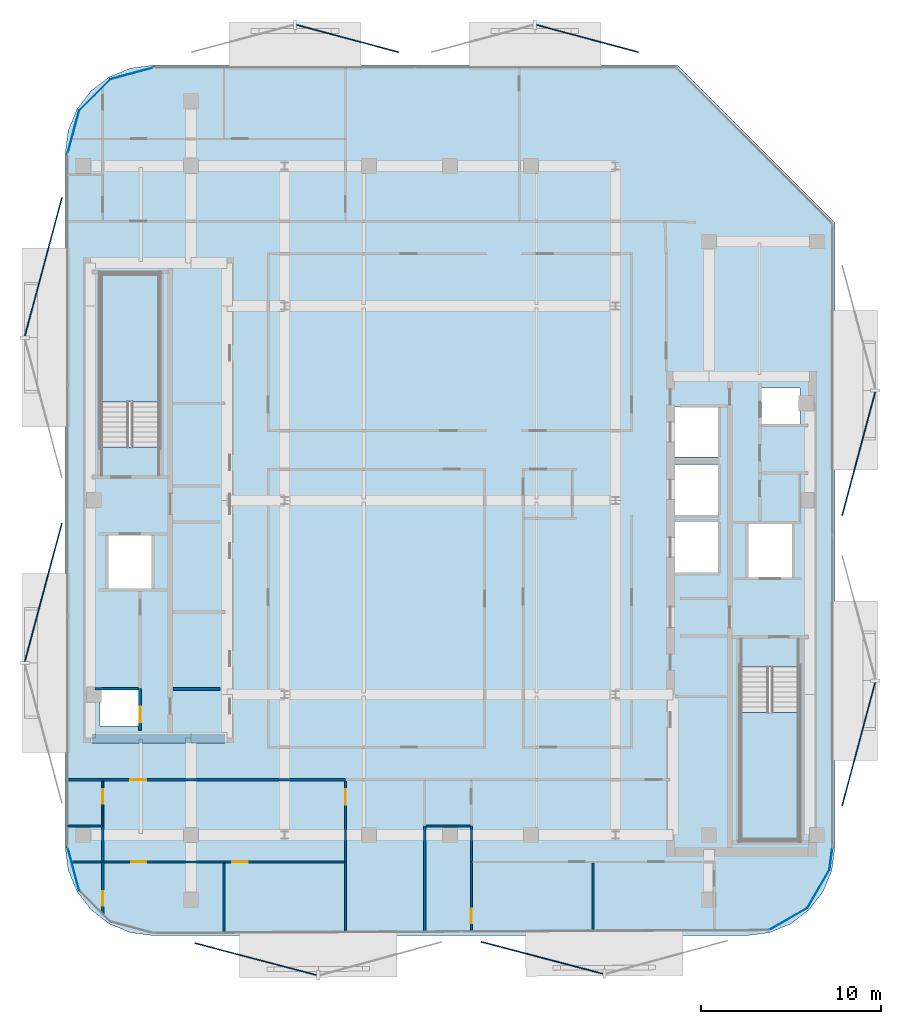
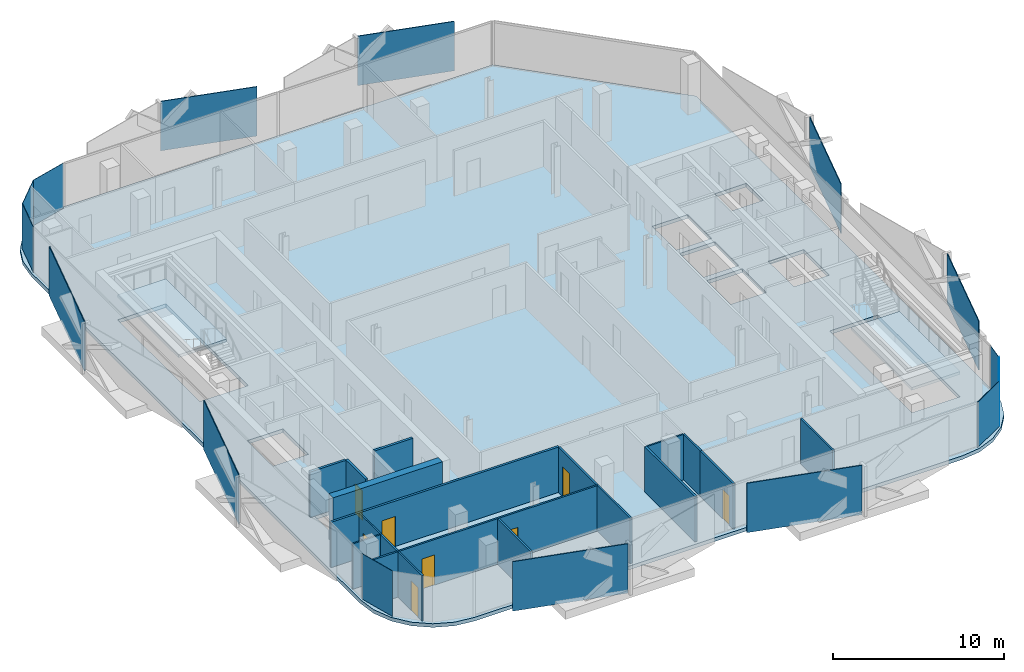
# One storey, part 2 of 15: 19 walls, 15 plates, 8 doors, 3 slabs, 8 openings, 2 elements without a shape of their own.
"""IFC4 building model written with IfcOpenShell, lengths in metres."""

from ifc_helpers import new_model, si_unit, direction, frame, frame_2d, origin, origin_2d, place, context, subcontext, project, spatial, polyline, rectangle, outline, extrude, material, layer, layer_set, type_object, element, fill, aggregate, save


model = new_model("IFC4")

# Units and contexts
model_context = context("Model", 3, precision=1e-05, world=origin(), true_north=direction((0.0, 1.0)))
body_context = subcontext(model_context, "Body", "Model", "MODEL_VIEW")
ifc_project = project(units=[si_unit("LENGTHUNIT", "METRE"), si_unit("AREAUNIT", "SQUARE_METRE"), si_unit("VOLUMEUNIT", "CUBIC_METRE"), si_unit("PLANEANGLEUNIT", "RADIAN"), si_unit("MASSUNIT", "GRAM", prefix="KILO")], contexts=[model_context])

# Site, building, storey
site_placement = place(None, origin())
site = spatial("IfcSite", under=ifc_project, at=site_placement, CompositionType="ELEMENT")
building_placement = place(site_placement, origin())
building = spatial("IfcBuilding", under=site, at=building_placement, Name="Khairoan Windgate Tower", CompositionType="ELEMENT")
storey_placement = place(building_placement, frame((0.0, 0.0, 269.199951171875)))
storey = spatial("IfcBuildingStorey", under=building, at=storey_placement, Name="L64", CompositionType="ELEMENT", Elevation=269.199951171875)

# Plates
ifc_material_1 = material(Name="Low-E Solar Control Laminated Glass", Category="glass")
ifc_layer_1 = layer(ifc_material_1, 0.030029296875, Name="Low-E Solar Control Laminated Glass")
ifc_layer_set_1 = layer_set([ifc_layer_1], Name="Low-E Solar Control Laminated Glass")
plate_type_1 = type_object("IfcPlateType", Name="Aerodynamic Wind-Corner Curved Glazing Plate", PredefinedType="USERDEFINED", material=ifc_layer_set_1)
for number, where, z_axis, x_axis, name in (
    (1, (-20.940673828125, -20.485107421875, 0.0), (0.0, 0.0, 1.0), (-0.258313252067, 0.966061211211, 0.0), "L64 Aerodynamic Wind-Corner Curved Glazing Panel 4"),
    (2, (-20.940673828125, 20.485107421875, 0.0), (0.0, 0.0, 1.0), (0.258313252067, 0.966061211211, 0.0), "L64 Aerodynamic Wind-Corner Curved Glazing Panel 6"),
):
    element("IfcPlate", number, at=place(storey_placement, frame(where, z_axis=z_axis, x_axis=x_axis)), inside=storey, type_object=plate_type_1, Name=name, ObjectType="GLAZING PANEL", PredefinedType="USERDEFINED", context=body_context, shape_type="SweptSolid", body=[
        extrude(rectangle(XDim=2.512451171875, YDim=0.030029296875, at=origin_2d()), origin(), (0.0, 0.0, 1.0), 3.25),
    ])
plate_1_placement = place(storey_placement, frame((-19.750244140625, 22.55029296875, 0.0), z_axis=(0.0, 0.0, 1.0), x_axis=(0.707106781187, 0.707106781187, 0.0)))
element("IfcPlate", 3, at=plate_1_placement, inside=storey, type_object=plate_type_1, Name="L64 Aerodynamic Wind-Corner Curved Glazing Panel 7", ObjectType="GLAZING PANEL", PredefinedType="USERDEFINED", context=body_context, shape_type="SweptSolid", body=[
    extrude(rectangle(XDim=2.50341796875, YDim=0.030029296875, at=origin_2d()), origin(), (0.0, 0.0, 1.0), 3.25),
])
plate_2_placement = place(storey_placement, frame((-17.68505859375, 23.740478515625, 0.0), z_axis=(0.0, 0.0, 1.0), x_axis=(0.966061211211, 0.258313252067, 0.0)))
element("IfcPlate", 4, at=plate_2_placement, inside=storey, type_object=plate_type_1, Name="L64 Aerodynamic Wind-Corner Curved Glazing Panel 8", ObjectType="GLAZING PANEL", PredefinedType="USERDEFINED", context=body_context, shape_type="SweptSolid", body=[
    extrude(rectangle(XDim=2.512451171875, YDim=0.030029296875, at=origin_2d()), origin(), (0.0, 0.0, 1.0), 3.25),
])
plate_3_placement = place(storey_placement, frame((21.17822265625, -19.911376953125, 0.0), z_axis=(0.0, 0.0, 1.0), x_axis=(-0.13052619222, -0.991444861374, 0.0)))
element("IfcPlate", 5, at=plate_3_placement, inside=storey, type_object=plate_type_1, Name="L64 Aerodynamic Wind-Corner Curved Glazing Panel 12", ObjectType="GLAZING PANEL", PredefinedType="USERDEFINED", context=body_context, shape_type="SweptSolid", body=[
    extrude(rectangle(XDim=1.29150390625, YDim=0.030029296875, at=origin_2d()), origin(), (0.0, 0.0, 1.0), 3.25),
])
for number, where, z_axis, x_axis, name in (
    (6, (20.480712890625, -21.598388671875, 0.0), (0.0, 0.0, 1.0), (-0.5, -0.866025403784, 0.0), "L64 Aerodynamic Wind-Corner Curved Glazing Panel 13"),
    (7, (18.79833984375, -23.28076171875, 0.0), (0.0, 0.0, 1.0), (-0.866025403784, -0.5, 0.0), "L64 Aerodynamic Wind-Corner Curved Glazing Panel 14"),
):
    element("IfcPlate", number, at=place(storey_placement, frame(where, z_axis=z_axis, x_axis=x_axis)), inside=storey, type_object=plate_type_1, Name=name, ObjectType="GLAZING PANEL", PredefinedType="USERDEFINED", context=body_context, shape_type="SweptSolid", body=[
        extrude(rectangle(XDim=2.50341796875, YDim=0.030029296875, at=origin_2d()), origin(), (0.0, 0.0, 1.0), 3.25),
    ])
ifc_material_2 = material(Name="Anodised Bronze Aluminium 6063-T6", Category="aluminium")
ifc_layer_2 = layer(ifc_material_2, 0.054931640625, Name="Anodised Bronze Aluminium 6063-T6")
ifc_layer_set_2 = layer_set([ifc_layer_2], Name="Anodised Bronze Aluminium 6063-T6")
plate_type_2 = type_object("IfcPlateType", Name="Perforated Bronze Solar Screen Upper Panel BSP-2", PredefinedType="USERDEFINED", material=ifc_layer_set_2)
for number, where, z_axis, x_axis, name in (
    (8, (5.11181640625, -25.430908203125, -0.099853515625), (0.0, 0.0, 1.0), (-0.967134752842, 0.254264369988, 0.0), "L64 Perforated Bronze Solar Screen Panel 441R"),
    (9, (-10.79931640625, -25.5068359375, -0.099853515625), (0.0, 0.0, 1.0), (-0.967134752842, 0.254264369988, 0.0), "L64 Perforated Bronze Solar Screen Panel 442R"),
):
    element("IfcPlate", number, at=place(storey_placement, frame(where, z_axis=z_axis, x_axis=x_axis)), inside=storey, type_object=plate_type_2, Name=name, ObjectType="SCREEN", PredefinedType="USERDEFINED", context=body_context, shape_type="SweptSolid", body=[
        extrude(rectangle(XDim=7.0009765625, YDim=0.054931640625, at=origin_2d()), origin(), (0.0, 0.0, 1.0), 3.5400390625),
    ])
for number, where, z_axis, x_axis, name in (
    (10, (-22.60986328125, -5.111083984375, -0.099853515625), (0.0, 0.0, 1.0), (0.258819045103, 0.965925826289, 0.0), "L64 Perforated Bronze Solar Screen Panel 443R"),
    (11, (-22.60986328125, 12.979736328125, -0.099853515625), (0.0, 0.0, 1.0), (0.258819045103, 0.965925826289, 0.0), "L64 Perforated Bronze Solar Screen Panel 444R"),
):
    element("IfcPlate", number, at=place(storey_placement, frame(where, z_axis=z_axis, x_axis=x_axis)), inside=storey, type_object=plate_type_2, Name=name, ObjectType="SCREEN", PredefinedType="USERDEFINED", context=body_context, shape_type="SweptSolid", body=[
        extrude(rectangle(XDim=7.9599609375, YDim=0.054931640625, at=origin_2d()), origin(), (0.0, 0.0, 1.0), 3.5400390625),
    ])
for number, where, z_axis, x_axis, name in (
    (12, (-5.698486328125, 25.6806640625, -0.099853515625), (0.0, 0.0, 1.0), (0.965925826289, -0.258819045103, 0.0), "L64 Perforated Bronze Solar Screen Panel 445R"),
    (13, (7.6376953125, 25.6806640625, -0.099853515625), (0.0, 0.0, 1.0), (0.965925826289, -0.258819045103, 0.0), "L64 Perforated Bronze Solar Screen Panel 446R"),
):
    element("IfcPlate", number, at=place(storey_placement, frame(where, z_axis=z_axis, x_axis=x_axis)), inside=storey, type_object=plate_type_2, Name=name, ObjectType="SCREEN", PredefinedType="USERDEFINED", context=body_context, shape_type="SweptSolid", body=[
        extrude(rectangle(XDim=5.867919921875, YDim=0.054931640625, at=origin_2d()), origin(), (0.0, 0.0, 1.0), 3.5400390625),
    ])
for number, where, z_axis, x_axis, name in (
    (14, (22.72119140625, 2.5947265625, -0.099853515625), (0.0, 0.0, 1.0), (-0.258819045103, -0.965925826289, 0.0), "L64 Perforated Bronze Solar Screen Panel 447R"),
    (15, (22.72119140625, -13.54150390625, -0.099853515625), (0.0, 0.0, 1.0), (-0.258819045103, -0.965925826289, 0.0), "L64 Perforated Bronze Solar Screen Panel 448R"),
):
    element("IfcPlate", number, at=place(storey_placement, frame(where, z_axis=z_axis, x_axis=x_axis)), inside=storey, type_object=plate_type_2, Name=name, ObjectType="SCREEN", PredefinedType="USERDEFINED", context=body_context, shape_type="SweptSolid", body=[
        extrude(rectangle(XDim=7.10009765625, YDim=0.054931640625, at=origin_2d()), origin(), (0.0, 0.0, 1.0), 3.5400390625),
    ])

# Stair, slab
ifc_material_3 = material(Name="Concrete C40/50", Category="concrete")
stair_type = type_object("IfcStairType", Name="Tower Core Dog-Leg Stair ST-T1 1560mm", PredefinedType="HALF_TURN_STAIR", material=ifc_material_3)
stair_1_placement = place(storey_placement, origin())
stair_1 = element("IfcStair", 16, at=stair_1_placement, inside=storey, type_object=stair_type, Name="L64 Stair ST1", PredefinedType="HALF_TURN_STAIR")
ifc_material_4 = material(Name="Concrete C40/50", Category="concrete")
ifc_layer_3 = layer(ifc_material_4, 0.199951171875, Name="Concrete C40/50")
ifc_layer_set_3 = layer_set([ifc_layer_3], Name="Concrete C40/50")
slab_type_1 = type_object("IfcSlabType", Name="Reinforced Concrete Stair Landing Slab STL-200", PredefinedType="LANDING", material=ifc_layer_set_3)
slab_1_placement = place(storey_placement, frame((0.0, 0.0, 1.60009765625)))
slab_1 = element("IfcSlab", 17, at=slab_1_placement, type_object=slab_type_1, Name="ST1 landing 1", PredefinedType="LANDING", context=body_context, shape_type="SweptSolid", body=[
    extrude(outline(polyline([(16.14990234375, -11.780029296875), (16.14990234375, -18.89990234375), (19.419921875, -18.89990234375), (19.419921875, -11.780029296875), (16.14990234375, -11.780029296875)])), origin(), (0.0, 0.0, 1.0), 0.199951171875),
])
aggregate(stair_1, [slab_1])

stair_2_placement = place(storey_placement, origin())
stair_2 = element("IfcStair", 18, at=stair_2_placement, inside=storey, type_object=stair_type, Name="L64 Stair ST2", PredefinedType="HALF_TURN_STAIR")
slab_2_placement = place(storey_placement, frame((0.0, 0.0, 1.60009765625)))
slab_2 = element("IfcSlab", 19, at=slab_2_placement, type_object=slab_type_1, Name="ST2 landing 1", PredefinedType="LANDING", context=body_context, shape_type="SweptSolid", body=[
    extrude(outline(polyline([(-16.14990234375, 5.47998046875), (-16.14990234375, 12.60009765625), (-19.419921875, 12.60009765625), (-19.419921875, 5.47998046875), (-16.14990234375, 5.47998046875)])), origin(), (0.0, 0.0, 1.0), 0.199951171875),
])
aggregate(stair_2, [slab_2])

# Slab
ifc_material_5 = material(Name="Concrete C40/50", Category="concrete")
ifc_layer_4 = layer(ifc_material_5, 0.260009765625, Name="Concrete C40/50")
ifc_layer_set_4 = layer_set([ifc_layer_4], Name="Concrete C40/50")
slab_type_2 = type_object("IfcSlabType", Name="Tower Composite Floor Slab FS2 260mm", PredefinedType="FLOOR", material=ifc_layer_set_4)
slab_3_placement = place(storey_placement, frame((0.0, 0.0, -0.260009765625)))
element("IfcSlab", 20, at=slab_3_placement, inside=storey, type_object=slab_type_2, Name="L64 Structural Floor Slab", PredefinedType="FLOOR", context=body_context, shape_type="SweptSolid", body=[
    extrude(outline(polyline([(16.5, -24.199951171875), (17.768310546875, -24.032958984375), (18.949951171875, -23.54345703125), (19.96484375, -22.764892578125), (20.743408203125, -21.75), (21.23291015625, -20.568115234375), (21.39990234375, -19.300048828125), (21.39990234375, 15.43994140625), (12.639892578125, 24.199951171875), (-16.5, 24.199951171875), (-17.768310546875, 24.032958984375), (-18.949951171875, 23.54345703125), (-19.96484375, 22.764892578125), (-20.743408203125, 21.75), (-21.23291015625, 20.568115234375), (-21.39990234375, 19.300048828125), (-21.39990234375, -19.300048828125), (-21.23291015625, -20.568115234375), (-20.743408203125, -21.75), (-19.96484375, -22.764892578125), (-18.949951171875, -23.54345703125), (-17.768310546875, -24.032958984375), (-16.5, -24.199951171875), (16.5, -24.199951171875)]), holes=[polyline([(16.14990234375, -9.260009765625), (16.14990234375, -18.89990234375), (19.419921875, -18.89990234375), (19.419921875, -9.260009765625), (16.14990234375, -9.260009765625)]), polyline([(-16.14990234375, 2.9599609375), (-16.14990234375, 12.60009765625), (-19.419921875, 12.60009765625), (-19.419921875, 2.9599609375), (-16.14990234375, 2.9599609375)]), polyline([(12.5, 2.39990234375), (14.89990234375, 2.39990234375), (14.89990234375, 5.199951171875), (12.5, 5.199951171875), (12.5, 2.39990234375)]), polyline([(12.5, -0.800048828125), (14.89990234375, -0.800048828125), (14.89990234375, 2.0), (12.5, 2.0), (12.5, -0.800048828125)]), polyline([(12.5, -4.0), (14.89990234375, -4.0), (14.89990234375, -1.199951171875), (12.5, -1.199951171875), (12.5, -4.0)]), polyline([(16.60009765625, -4.300048828125), (19.0, -4.300048828125), (19.0, -1.300048828125), (16.60009765625, -1.300048828125), (16.60009765625, -4.300048828125)]), polyline([(-19.0, -4.89990234375), (-16.60009765625, -4.89990234375), (-16.60009765625, -1.89990234375), (-19.0, -1.89990234375), (-19.0, -4.89990234375)]), polyline([(-19.449951171875, -12.550048828125), (-17.31005859375, -12.550048828125), (-17.31005859375, -10.550048828125), (-19.449951171875, -10.550048828125), (-19.449951171875, -12.550048828125)]), polyline([(17.31005859375, 4.25), (19.449951171875, 4.25), (19.449951171875, 6.25), (17.31005859375, 6.25), (17.31005859375, 4.25)])]), origin(), (0.0, 0.0, 1.0), 0.260009765625),
])

# Wall
ifc_material_6 = material(Name="Moisture-Resistant Gypsum Partition", Category="gypsum")
ifc_layer_5 = layer(ifc_material_6, 0.10009765625, Name="Moisture-Resistant Gypsum Partition")
ifc_layer_set_5 = layer_set([ifc_layer_5], Name="Moisture-Resistant Gypsum Partition")
wall_type_1 = type_object("IfcWallType", Name="Bathroom Wet-Area Partition Wall", PredefinedType="PARTITIONING", material=ifc_layer_set_5)
wall_1_placement = place(storey_placement, frame((-21.2548828125, -18.10009765625, 0.0), z_axis=(0.0, 0.0, 1.0), x_axis=(1.0, 0.0, 0.0)))
element("IfcWall", 21, at=wall_1_placement, inside=storey, type_object=wall_type_1, Name="L64 Interior Partition 047", PredefinedType="PARTITIONING", context=body_context, shape_type="SweptSolid", body=[
    extrude(rectangle(XDim=1.894775390625, YDim=0.10009765625, at=frame_2d((0.947265625, 0.0))), origin(), (0.0, 0.0, 1.0), 3.25),
])

# Wall, opening, door
wall_2_placement = place(storey_placement, frame((-19.31005859375, -18.10009765625, 0.0), z_axis=(0.0, 0.0, 1.0), x_axis=(0.0, 1.0, 0.0)))
wall_2 = element("IfcWall", 22, at=wall_2_placement, inside=storey, type_object=wall_type_1, Name="L64 Interior Partition 048", PredefinedType="PARTITIONING", context=body_context, shape_type="SweptSolid", body=[
    extrude(rectangle(XDim=2.5, YDim=0.10009765625, at=frame_2d((1.25, 0.0))), origin(), (0.0, 0.0, 1.0), 3.25),
])
opening_1_placement = place(wall_2_placement, frame((1.239990234375, 0.0, 0.0)))
opening_1 = element("IfcOpeningElement", 23, at=opening_1_placement, cuts=wall_2, Name="Opening ID-BTH", PredefinedType="OPENING", context=body_context, shape_type="SweptSolid", body=[
    extrude(rectangle(XDim=0.800048828125, YDim=2.10009765625, at=frame_2d((0.39990234375, 1.050048828125))), frame((0.0, 0.06005859375, 0.0), z_axis=(0.0, -1.0, 0.0), x_axis=(1.0, 0.0, 0.0)), (0.0, 0.0, 1.0), 0.1201171875),
])
ifc_material_7 = material(Name="Teak Veneer Timber Leaf", Category="wood")
door_type_1 = type_object("IfcDoorType", Name="Internal Bathroom Door ID-BTH 800x2100", OperationType="NOTDEFINED", PredefinedType="DOOR", material=ifc_material_7)
door_1_placement = place(opening_1_placement, origin())
door_1 = element("IfcDoor", 24, at=door_1_placement, inside=storey, type_object=door_type_1, Name="L64 L64-40-L64-42 Door", OperationType="SINGLE_SWING_RIGHT", OverallHeight=2.10009765625, OverallWidth=0.800048828125, PredefinedType="DOOR", context=body_context, shape_type="SweptSolid", body=[
    extrude(rectangle(XDim=0.800048828125, YDim=2.10009765625, at=frame_2d((0.39990234375, 1.050048828125))), frame((0.0, 0.02490234375, 0.0), z_axis=(0.0, -1.0, 0.0), x_axis=(1.0, 0.0, 0.0)), (0.0, 0.0, 1.0), 0.050048828125),
])
fill(opening_1, door_1)

# Walls
wall_3_placement = place(storey_placement, frame((-1.330078125, -18.10009765625, 0.0), z_axis=(0.0, 0.0, 1.0), x_axis=(1.0, 0.0, 0.0)))
element("IfcWall", 25, at=wall_3_placement, inside=storey, type_object=wall_type_1, Name="L64 Interior Partition 058", PredefinedType="PARTITIONING", context=body_context, shape_type="SweptSolid", body=[
    extrude(rectangle(XDim=2.469970703125, YDim=0.10009765625, at=frame_2d((1.23486328125, 0.0))), origin(), (0.0, 0.0, 1.0), 3.25),
])
ifc_material_8 = material(Name="Concrete C40/50", Category="concrete")
ifc_layer_6 = layer(ifc_material_8, 0.159912109375, Name="Concrete C40/50")
ifc_layer_set_6 = layer_set([ifc_layer_6], Name="Concrete C40/50")
wall_type_2 = type_object("IfcWallType", Name="Core and Hoistway Enclosure Wall", PredefinedType="STANDARD", material=ifc_layer_set_6)
wall_4_placement = place(storey_placement, frame((-15.39990234375, -10.47998046875, 0.0), z_axis=(0.0, 0.0, 1.0), x_axis=(1.0, 0.0, 0.0)))
element("IfcWall", 26, at=wall_4_placement, inside=storey, type_object=wall_type_2, Name="L64 Core Shaft Wall SW-WSV-L64", PredefinedType="STANDARD", context=body_context, shape_type="SweptSolid", body=[
    extrude(rectangle(XDim=2.599853515625, YDim=0.159912109375, at=frame_2d((1.2998046875, 0.0))), origin(), (0.0, 0.0, 1.0), 3.25),
])
ifc_material_9 = material(Name="Acoustic Fire-Rated Gypsum Partition", Category="gypsum")
ifc_layer_7 = layer(ifc_material_9, 0.139892578125, Name="Acoustic Fire-Rated Gypsum Partition")
ifc_layer_set_7 = layer_set([ifc_layer_7], Name="Acoustic Fire-Rated Gypsum Partition")
wall_type_3 = type_object("IfcWallType", Name="Inter-Tenancy Compartment Wall", PredefinedType="PARTITIONING", material=ifc_layer_set_7)
wall_5_placement = place(storey_placement, frame((-1.39990234375, -23.98291015625, 0.0), z_axis=(0.0, 0.0, 1.0), x_axis=(0.0, 1.0, 0.0)))
element("IfcWall", 27, at=wall_5_placement, inside=storey, type_object=wall_type_3, Name="L64 Interior Partition 056", PredefinedType="PARTITIONING", context=body_context, shape_type="SweptSolid", body=[
    extrude(rectangle(XDim=5.8828125, YDim=0.139892578125, at=frame_2d((2.94140625, 0.0))), origin(), (0.0, 0.0, 1.0), 3.25),
])
ifc_material_10 = material(Name="Gypsum Stud Partition", Category="gypsum")
ifc_layer_8 = layer(ifc_material_10, 0.1201171875, Name="Gypsum Stud Partition")
ifc_layer_set_8 = layer_set([ifc_layer_8], Name="Gypsum Stud Partition")
wall_type_4 = type_object("IfcWallType", Name="Internal Room Partition Wall", PredefinedType="PARTITIONING", material=ifc_layer_set_8)
wall_6_placement = place(storey_placement, frame((-19.31005859375, -20.10009765625, 0.0), z_axis=(0.0, 0.0, 1.0), x_axis=(0.0, 1.0, 0.0)))
element("IfcWall", 28, at=wall_6_placement, inside=storey, type_object=wall_type_4, Name="L64 Interior Partition 049", PredefinedType="PARTITIONING", context=body_context, shape_type="SweptSolid", body=[
    extrude(rectangle(XDim=2.0, YDim=0.1201171875, at=frame_2d((1.0, 0.0))), origin(), (0.0, 0.0, 1.0), 3.25),
])

# Wall, opening, door
wall_7_placement = place(storey_placement, frame((-19.31005859375, -22.985595703125, 0.0), z_axis=(0.0, 0.0, 1.0), x_axis=(0.0, 1.0, 0.0)))
wall_7 = element("IfcWall", 29, at=wall_7_placement, inside=storey, type_object=wall_type_4, Name="L64 Interior Partition 050", PredefinedType="PARTITIONING", context=body_context, shape_type="SweptSolid", body=[
    extrude(rectangle(XDim=2.885498046875, YDim=0.1201171875, at=frame_2d((1.44287109375, 0.0))), origin(), (0.0, 0.0, 1.0), 3.25),
])
opening_2_placement = place(wall_7_placement, frame((0.4599609375, 0.0, 0.0)))
opening_2 = element("IfcOpeningElement", 30, at=opening_2_placement, cuts=wall_7, Name="Opening ID-BTH", PredefinedType="OPENING", context=body_context, shape_type="SweptSolid", body=[
    extrude(rectangle(XDim=0.800048828125, YDim=2.10009765625, at=frame_2d((0.39990234375, 1.050048828125))), frame((0.0, 0.070068359375, 0.0), z_axis=(0.0, -1.0, 0.0), x_axis=(1.0, 0.0, 0.0)), (0.0, 0.0, 1.0), 0.14013671875),
])
door_2_placement = place(opening_2_placement, origin())
door_2 = element("IfcDoor", 31, at=door_2_placement, inside=storey, type_object=door_type_1, Name="L64 L64-41-L64-44 Door", OperationType="SINGLE_SWING_LEFT", OverallHeight=2.10009765625, OverallWidth=0.800048828125, PredefinedType="DOOR", context=body_context, shape_type="SweptSolid", body=[
    extrude(rectangle(XDim=0.800048828125, YDim=2.10009765625, at=frame_2d((0.39990234375, 1.050048828125))), frame((0.0, 0.02490234375, 0.0), z_axis=(0.0, -1.0, 0.0), x_axis=(1.0, 0.0, 0.0)), (0.0, 0.0, 1.0), 0.050048828125),
])
fill(opening_2, door_2)

wall_8_placement = place(storey_placement, frame((-5.81005859375, -20.10009765625, 0.0), z_axis=(0.0, 0.0, 1.0), x_axis=(0.0, 1.0, 0.0)))
wall_8 = element("IfcWall", 32, at=wall_8_placement, inside=storey, type_object=wall_type_4, Name="L64 Interior Partition 051", PredefinedType="PARTITIONING", context=body_context, shape_type="SweptSolid", body=[
    extrude(rectangle(XDim=4.5, YDim=0.1201171875, at=frame_2d((2.25, 0.0))), origin(), (0.0, 0.0, 1.0), 3.25),
])
opening_3_placement = place(wall_8_placement, frame((3.179931640625, 0.0, 0.0)))
opening_3 = element("IfcOpeningElement", 33, at=opening_3_placement, cuts=wall_8, Name="Opening ID-RM", PredefinedType="OPENING", context=body_context, shape_type="SweptSolid", body=[
    extrude(rectangle(XDim=0.860107421875, YDim=2.14990234375, at=frame_2d((0.43017578125, 1.074951171875))), frame((0.0, 0.070068359375, 0.0), z_axis=(0.0, -1.0, 0.0), x_axis=(1.0, 0.0, 0.0)), (0.0, 0.0, 1.0), 0.14013671875),
])
ifc_material_11 = material(Name="Teak Veneer Timber Leaf", Category="wood")
door_type_2 = type_object("IfcDoorType", Name="Internal Bedroom and Office Door ID-RM 860x2150", OperationType="NOTDEFINED", PredefinedType="DOOR", material=ifc_material_11)
door_3_placement = place(opening_3_placement, origin())
door_3 = element("IfcDoor", 34, at=door_3_placement, inside=storey, type_object=door_type_2, Name="L64 L64-42-L64-43 Door", OperationType="SINGLE_SWING_RIGHT", OverallHeight=2.14990234375, OverallWidth=0.860107421875, PredefinedType="DOOR", context=body_context, shape_type="SweptSolid", body=[
    extrude(rectangle(XDim=0.860107421875, YDim=2.14990234375, at=frame_2d((0.43017578125, 1.074951171875))), frame((0.0, 0.02490234375, 0.0), z_axis=(0.0, -1.0, 0.0), x_axis=(1.0, 0.0, 0.0)), (0.0, 0.0, 1.0), 0.050048828125),
])
fill(opening_3, door_3)

wall_9_placement = place(storey_placement, frame((-21.03857421875, -20.10009765625, 0.0), z_axis=(0.0, 0.0, 1.0), x_axis=(1.0, 0.0, 0.0)))
wall_9 = element("IfcWall", 35, at=wall_9_placement, inside=storey, type_object=wall_type_4, Name="L64 Interior Partition 052", PredefinedType="PARTITIONING", context=body_context, shape_type="SweptSolid", body=[
    extrude(rectangle(XDim=8.478515625, YDim=0.1201171875, at=frame_2d((4.2392578125, 0.0))), origin(), (0.0, 0.0, 1.0), 3.25),
])
opening_4_placement = place(wall_9_placement, frame((3.3017578125, 0.0, 0.0)))
opening_4 = element("IfcOpeningElement", 36, at=opening_4_placement, cuts=wall_9, Name="Opening ID-RM", PredefinedType="OPENING", context=body_context, shape_type="SweptSolid", body=[
    extrude(rectangle(XDim=0.860107421875, YDim=2.14990234375, at=frame_2d((0.43017578125, 1.074951171875))), frame((0.0, 0.070068359375, 0.0), z_axis=(0.0, -1.0, 0.0), x_axis=(1.0, 0.0, 0.0)), (0.0, 0.0, 1.0), 0.14013671875),
])
door_4_placement = place(opening_4_placement, origin())
door_4 = element("IfcDoor", 37, at=door_4_placement, inside=storey, type_object=door_type_2, Name="L64 L64-42-L64-44 Door", OperationType="SINGLE_SWING_LEFT", OverallHeight=2.14990234375, OverallWidth=0.860107421875, PredefinedType="DOOR", context=body_context, shape_type="SweptSolid", body=[
    extrude(rectangle(XDim=0.860107421875, YDim=2.14990234375, at=frame_2d((0.43017578125, 1.074951171875))), frame((0.0, 0.02490234375, 0.0), z_axis=(0.0, -1.0, 0.0), x_axis=(1.0, 0.0, 0.0)), (0.0, 0.0, 1.0), 0.050048828125),
])
fill(opening_4, door_4)

wall_10_placement = place(storey_placement, frame((-12.56005859375, -20.10009765625, 0.0), z_axis=(0.0, 0.0, 1.0), x_axis=(1.0, 0.0, 0.0)))
wall_10 = element("IfcWall", 38, at=wall_10_placement, inside=storey, type_object=wall_type_4, Name="L64 Interior Partition 053", PredefinedType="PARTITIONING", context=body_context, shape_type="SweptSolid", body=[
    extrude(rectangle(XDim=6.68994140625, YDim=0.1201171875, at=frame_2d((3.344970703125, 0.0))), origin(), (0.0, 0.0, 1.0), 3.25),
])
opening_5_placement = place(wall_10_placement, frame((0.4599609375, 0.0, 0.0)))
opening_5 = element("IfcOpeningElement", 39, at=opening_5_placement, cuts=wall_10, Name="Opening ID-RM", PredefinedType="OPENING", context=body_context, shape_type="SweptSolid", body=[
    extrude(rectangle(XDim=0.860107421875, YDim=2.14990234375, at=frame_2d((0.43017578125, 1.074951171875))), frame((0.0, 0.070068359375, 0.0), z_axis=(0.0, -1.0, 0.0), x_axis=(1.0, 0.0, 0.0)), (0.0, 0.0, 1.0), 0.14013671875),
])
door_5_placement = place(opening_5_placement, origin())
door_5 = element("IfcDoor", 40, at=door_5_placement, inside=storey, type_object=door_type_2, Name="L64 L64-42-L64-45 Door", OperationType="SINGLE_SWING_RIGHT", OverallHeight=2.14990234375, OverallWidth=0.860107421875, PredefinedType="DOOR", context=body_context, shape_type="SweptSolid", body=[
    extrude(rectangle(XDim=0.860107421875, YDim=2.14990234375, at=frame_2d((0.43017578125, 1.074951171875))), frame((0.0, 0.02490234375, 0.0), z_axis=(0.0, -1.0, 0.0), x_axis=(1.0, 0.0, 0.0)), (0.0, 0.0, 1.0), 0.050048828125),
])
fill(opening_5, door_5)

# Walls
wall_11_placement = place(storey_placement, frame((-5.81005859375, -24.00390625, 0.0), z_axis=(0.0, 0.0, 1.0), x_axis=(0.0, 1.0, 0.0)))
element("IfcWall", 41, at=wall_11_placement, inside=storey, type_object=wall_type_4, Name="L64 Interior Partition 054", PredefinedType="PARTITIONING", context=body_context, shape_type="SweptSolid", body=[
    extrude(rectangle(XDim=3.90380859375, YDim=0.1201171875, at=frame_2d((1.951904296875, 0.0))), origin(), (0.0, 0.0, 1.0), 3.25),
])
wall_12_placement = place(storey_placement, frame((-12.56005859375, -24.0361328125, 0.0), z_axis=(0.0, 0.0, 1.0), x_axis=(0.0, 1.0, 0.0)))
element("IfcWall", 42, at=wall_12_placement, inside=storey, type_object=wall_type_4, Name="L64 Interior Partition 057", PredefinedType="PARTITIONING", context=body_context, shape_type="SweptSolid", body=[
    extrude(rectangle(XDim=3.876220703125, YDim=0.1201171875, at=frame_2d((1.93798828125, 0.0))), origin(), (0.0, 0.0, 1.0), 3.25),
])
wall_13_placement = place(storey_placement, frame((1.18994140625, -20.10009765625, 0.0), z_axis=(0.0, 0.0, 1.0), x_axis=(0.0, 1.0, 0.0)))
element("IfcWall", 43, at=wall_13_placement, inside=storey, type_object=wall_type_4, Name="L64 Interior Partition 060", PredefinedType="PARTITIONING", context=body_context, shape_type="SweptSolid", body=[
    extrude(rectangle(XDim=2.0, YDim=0.1201171875, at=frame_2d((1.0, 0.0))), origin(), (0.0, 0.0, 1.0), 3.25),
])

# Wall, opening, door
wall_14_placement = place(storey_placement, frame((1.18994140625, -23.970703125, 0.0), z_axis=(0.0, 0.0, 1.0), x_axis=(0.0, 1.0, 0.0)))
wall_14 = element("IfcWall", 44, at=wall_14_placement, inside=storey, type_object=wall_type_4, Name="L64 Interior Partition 061", PredefinedType="PARTITIONING", context=body_context, shape_type="SweptSolid", body=[
    extrude(rectangle(XDim=3.87060546875, YDim=0.1201171875, at=frame_2d((1.935302734375, 0.0))), origin(), (0.0, 0.0, 1.0), 3.25),
])
opening_6_placement = place(wall_14_placement, frame((0.4599609375, 0.0, 0.0)))
opening_6 = element("IfcOpeningElement", 45, at=opening_6_placement, cuts=wall_14, Name="Opening ID-BTH", PredefinedType="OPENING", context=body_context, shape_type="SweptSolid", body=[
    extrude(rectangle(XDim=0.800048828125, YDim=2.10009765625, at=frame_2d((0.39990234375, 1.050048828125))), frame((0.0, 0.070068359375, 0.0), z_axis=(0.0, -1.0, 0.0), x_axis=(1.0, 0.0, 0.0)), (0.0, 0.0, 1.0), 0.14013671875),
])
door_6_placement = place(opening_6_placement, origin())
door_6 = element("IfcDoor", 46, at=door_6_placement, inside=storey, type_object=door_type_1, Name="L64 L64-47-L64-50 Door", OperationType="SINGLE_SWING_RIGHT", OverallHeight=2.10009765625, OverallWidth=0.800048828125, PredefinedType="DOOR", context=body_context, shape_type="SweptSolid", body=[
    extrude(rectangle(XDim=0.800048828125, YDim=2.10009765625, at=frame_2d((0.39990234375, 1.050048828125))), frame((0.0, 0.02490234375, 0.0), z_axis=(0.0, -1.0, 0.0), x_axis=(1.0, 0.0, 0.0)), (0.0, 0.0, 1.0), 0.050048828125),
])
fill(opening_6, door_6)

# Wall
wall_15_placement = place(storey_placement, frame((7.93994140625, -23.9384765625, 0.0), z_axis=(0.0, 0.0, 1.0), x_axis=(0.0, 1.0, 0.0)))
element("IfcWall", 47, at=wall_15_placement, inside=storey, type_object=wall_type_4, Name="L64 Interior Partition 065", PredefinedType="PARTITIONING", context=body_context, shape_type="SweptSolid", body=[
    extrude(rectangle(XDim=3.778564453125, YDim=0.1201171875, at=frame_2d((1.88916015625, 0.0))), origin(), (0.0, 0.0, 1.0), 3.25),
])

# Wall, opening, door
ifc_material_12 = material(Name="Concrete C40/50", Category="concrete")
ifc_layer_9 = layer(ifc_material_12, 0.159912109375, Name="Concrete C40/50")
ifc_layer_set_9 = layer_set([ifc_layer_9], Name="Concrete C40/50")
wall_type_5 = type_object("IfcWallType", Name="Plant and Refuge Compartment Wall", PredefinedType="PARTITIONING", material=ifc_layer_set_9)
wall_16_placement = place(storey_placement, frame((-17.22998046875, -12.7900390625, 0.0), z_axis=(0.0, 0.0, 1.0), x_axis=(0.0, 1.0, 0.0)))
wall_16 = element("IfcWall", 48, at=wall_16_placement, inside=storey, type_object=wall_type_5, Name="L64 Interior Partition 001", PredefinedType="PARTITIONING", context=body_context, shape_type="SweptSolid", body=[
    extrude(rectangle(XDim=2.320068359375, YDim=0.159912109375, at=frame_2d((1.16015625, 0.0))), origin(), (0.0, 0.0, 1.0), 3.25),
])
opening_7_placement = place(wall_16_placement, frame((0.4599609375, 0.0, 0.0)))
opening_7 = element("IfcOpeningElement", 49, at=opening_7_placement, cuts=wall_16, Name="Opening FD-SRV", PredefinedType="OPENING", context=body_context, shape_type="SweptSolid", body=[
    extrude(rectangle(XDim=0.85009765625, YDim=2.10009765625, at=frame_2d((0.425048828125, 1.050048828125))), frame((0.0, 0.08984375, 0.0), z_axis=(0.0, -1.0, 0.0), x_axis=(1.0, 0.0, 0.0)), (0.0, 0.0, 1.0), 0.179931640625),
])
ifc_material_13 = material(Name="Steel S355", Category="steel")
door_type_3 = type_object("IfcDoorType", Name="Core Service and Riser Fire Door FD-SRV 850x2100", OperationType="NOTDEFINED", PredefinedType="DOOR", material=ifc_material_13)
door_7_placement = place(opening_7_placement, origin())
door_7 = element("IfcDoor", 50, at=door_7_placement, inside=storey, type_object=door_type_3, Name="L64 L64-04-L64-05 Door", OperationType="SINGLE_SWING_RIGHT", OverallHeight=2.10009765625, OverallWidth=0.85009765625, PredefinedType="DOOR", context=body_context, shape_type="SweptSolid", body=[
    extrude(rectangle(XDim=0.85009765625, YDim=2.10009765625, at=frame_2d((0.425048828125, 1.050048828125))), frame((0.0, 0.02490234375, 0.0), z_axis=(0.0, -1.0, 0.0), x_axis=(1.0, 0.0, 0.0)), (0.0, 0.0, 1.0), 0.050048828125),
])
fill(opening_7, door_7)

# Wall
wall_17_placement = place(storey_placement, frame((-19.75, -10.469970703125, 0.0), z_axis=(0.0, 0.0, 1.0), x_axis=(1.0, 0.0, 0.0)))
element("IfcWall", 51, at=wall_17_placement, inside=storey, type_object=wall_type_5, Name="L64 Interior Partition 003", PredefinedType="PARTITIONING", context=body_context, shape_type="SweptSolid", body=[
    extrude(rectangle(XDim=2.43994140625, YDim=0.159912109375, at=frame_2d((1.219970703125, 0.0))), origin(), (0.0, 0.0, 1.0), 3.25),
])

# Wall, opening, door
ifc_material_14 = material(Name="Acoustic Fire-Rated Gypsum Partition", Category="gypsum")
ifc_layer_10 = layer(ifc_material_14, 0.14990234375, Name="Acoustic Fire-Rated Gypsum Partition")
ifc_layer_set_10 = layer_set([ifc_layer_10], Name="Acoustic Fire-Rated Gypsum Partition")
wall_type_6 = type_object("IfcWallType", Name="Rated Corridor Partition Wall", PredefinedType="PARTITIONING", material=ifc_layer_set_10)
wall_18_placement = place(storey_placement, frame((-21.2548828125, -15.52490234375, 0.0), z_axis=(0.0, 0.0, 1.0), x_axis=(1.0, 0.0, 0.0)))
wall_18 = element("IfcWall", 52, at=wall_18_placement, inside=storey, type_object=wall_type_6, Name="L64 Interior Partition 030", PredefinedType="PARTITIONING", context=body_context, shape_type="SweptSolid", body=[
    extrude(rectangle(XDim=15.44482421875, YDim=0.14990234375, at=frame_2d((7.722412109375, 0.0))), origin(), (0.0, 0.0, 1.0), 3.25),
])
opening_8_placement = place(wall_18_placement, frame((3.465576171875, 0.0, 0.0)))
opening_8 = element("IfcOpeningElement", 53, at=opening_8_placement, cuts=wall_18, Name="Opening FD-ENT", PredefinedType="OPENING", context=body_context, shape_type="SweptSolid", body=[
    extrude(rectangle(XDim=0.89990234375, YDim=2.14990234375, at=frame_2d((0.449951171875, 1.074951171875))), frame((0.0, 0.0849609375, 0.0), z_axis=(0.0, -1.0, 0.0), x_axis=(1.0, 0.0, 0.0)), (0.0, 0.0, 1.0), 0.169921875),
])
ifc_material_15 = material(Name="Timber Fire-Rated Core", Category="wood")
door_type_4 = type_object("IfcDoorType", Name="Unit and Office Fire Entrance Door FD-ENT 900x2150", OperationType="NOTDEFINED", PredefinedType="DOOR", material=ifc_material_15)
door_8_placement = place(opening_8_placement, origin())
door_8 = element("IfcDoor", 54, at=door_8_placement, inside=storey, type_object=door_type_4, Name="L64 L64-32-L64-42 Door", OperationType="SINGLE_SWING_LEFT", OverallHeight=2.14990234375, OverallWidth=0.89990234375, PredefinedType="DOOR", context=body_context, shape_type="SweptSolid", body=[
    extrude(rectangle(XDim=0.89990234375, YDim=2.14990234375, at=frame_2d((0.449951171875, 1.074951171875))), frame((0.0, 0.02490234375, 0.0), z_axis=(0.0, -1.0, 0.0), x_axis=(1.0, 0.0, 0.0)), (0.0, 0.0, 1.0), 0.050048828125),
])
fill(opening_8, door_8)

# Wall
ifc_material_16 = material(Name="Concrete C50/60", Category="concrete")
ifc_layer_11 = layer(ifc_material_16, 0.5, Name="Concrete C50/60")
ifc_layer_set_11 = layer_set([ifc_layer_11], Name="Concrete C50/60")
wall_type_7 = type_object("IfcWallType", Name="Shear Wall CW-W3 500mm", PredefinedType="SHEAR", material=ifc_layer_set_11)
wall_19_placement = place(storey_placement, frame((-19.89990234375, -13.25, 0.0), z_axis=(0.0, 0.0, 1.0), x_axis=(1.0, 0.0, 0.0)))
element("IfcWall", 55, at=wall_19_placement, inside=storey, type_object=wall_type_7, Name="W Core South Shear Wall L64", PredefinedType="SHEAR", context=body_context, shape_type="SweptSolid", body=[
    extrude(rectangle(XDim=7.39990234375, YDim=0.5, at=frame_2d((3.699951171875, 0.0))), origin(), (0.0, 0.0, 1.0), 3.25),
])

save(model, "model.ifc")
